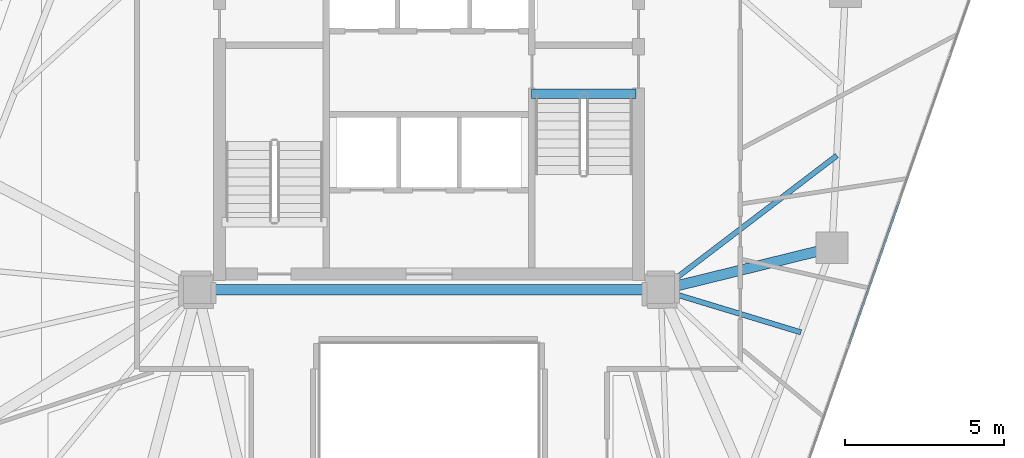
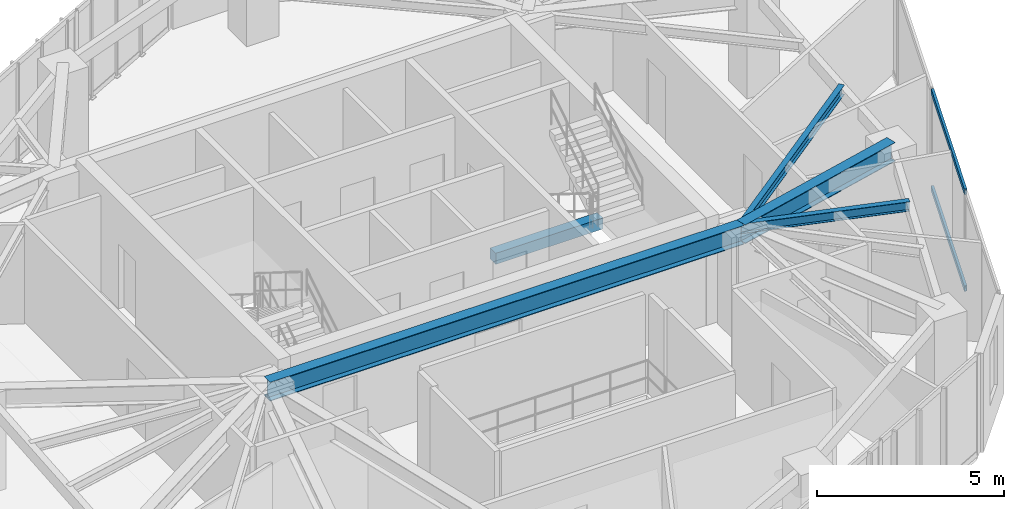
# One storey, part 9 of 20: 5 beams, 2 members, 1 element without a shape of its own.
"""IFC4 building model written with IfcOpenShell, lengths in metres."""

from ifc_helpers import new_model, si_unit, direction, frame, origin, origin_2d, place, context, subcontext, project, spatial, rectangle, hollow_rectangle, i_section, extrude, source, transform, mapped, material, layer, layer_set, material_profile, profile_set, type_object, type_shapes, element, aggregate, save


model = new_model("IFC4")

# Units and contexts
model_context = context("Model", 3, precision=1e-05, world=origin(), true_north=direction((0.0, 1.0)))
body_context = subcontext(model_context, "Body", "Model", "MODEL_VIEW")
ifc_project = project(units=[si_unit("LENGTHUNIT", "METRE"), si_unit("AREAUNIT", "SQUARE_METRE"), si_unit("VOLUMEUNIT", "CUBIC_METRE"), si_unit("PLANEANGLEUNIT", "RADIAN"), si_unit("MASSUNIT", "GRAM", prefix="KILO")], contexts=[model_context])

# Site, building, storey
site_placement = place(None, origin())
site = spatial("IfcSite", under=ifc_project, at=site_placement, CompositionType="ELEMENT")
building_placement = place(site_placement, origin())
building = spatial("IfcBuilding", under=site, at=building_placement, Name="Talar Marvaseh", CompositionType="ELEMENT")
storey_placement = place(building_placement, frame((0.0, 0.0, 170.5)))
storey = spatial("IfcBuildingStorey", under=building, at=storey_placement, Name="L44", CompositionType="ELEMENT", Elevation=170.5)

# Beams
ifc_material_1 = material(Name="Concrete C40/50", Category="concrete")
ifc_material_profile_1 = material_profile(ifc_material_1, rectangle(XDim=0.300048828125, YDim=0.360107421875, at=origin_2d()), Name="RC300x360")
ifc_profile_set_1 = profile_set([ifc_material_profile_1], Name="Concrete C40/50")
beam_type_1 = type_object("IfcBeamType", Name="Concrete Stair Landing Trimmer Beam RC300x360", PredefinedType="SPANDREL", material=ifc_profile_set_1)
beam_1_placement = place(storey_placement, frame((29.219970703125, 31.669921875, -0.179931640625), z_axis=(1.0, 0.0, 0.0), x_axis=(0.0, 1.0, 0.0)))
element("IfcBeam", 1, at=beam_1_placement, inside=storey, type_object=beam_type_1, Name="L44 ST-2 Stair Nosing Trimmer Beam", PredefinedType="SPANDREL", context=body_context, shape_type="SweptSolid", body=[
    extrude(rectangle(XDim=0.300048828125, YDim=0.360107421875, at=origin_2d()), origin(), (0.0, 0.0, 1.0), 3.300048828125),
])
ifc_material_2 = material(Name="Steel S355", Category="steel")
ifc_material_profile_2 = material_profile(ifc_material_2, i_section(OverallWidth=0.324951171875, OverallDepth=0.615966796875, WebThickness=0.013916015625, FlangeThickness=0.021484375, at=origin_2d()), Name="W610x174")
ifc_profile_set_2 = profile_set([ifc_material_profile_2], Name="Steel S355")
beam_type_2 = type_object("IfcBeamType", Name="Zone 3 Radial Floor Girder W610x174", PredefinedType="BEAM", material=ifc_profile_set_2)
beam_2_placement = place(storey_placement, frame((18.699951171875, 25.5, 2.922119140625), z_axis=(1.0, 0.0, 0.0), x_axis=(0.0, 1.0, 0.0)))
element("IfcBeam", 2, at=beam_2_placement, inside=storey, type_object=beam_type_2, Name="L44 Zone 3 Radial Floor Girder W610x174", PredefinedType="BEAM", context=body_context, shape_type="SweptSolid", body=[
    extrude(i_section(OverallWidth=0.324951171875, OverallDepth=0.615966796875, WebThickness=0.013916015625, FlangeThickness=0.021484375, at=origin_2d()), origin(), (0.0, 0.0, 1.0), 14.60009765625),
])
beam_3_placement = place(storey_placement, frame((38.68896484375, 26.823974609375, 2.922119140625), z_axis=(-0.971120507527, -0.238589521692, 0.0), x_axis=(0.238589521692, -0.971120507527, 0.0)))
element("IfcBeam", 3, at=beam_3_placement, inside=storey, type_object=beam_type_2, Name="L44 Zone 3 Radial Floor Girder W610x174", PredefinedType="BEAM", context=body_context, shape_type="SweptSolid", body=[
    extrude(i_section(OverallWidth=0.324951171875, OverallDepth=0.615966796875, WebThickness=0.013916015625, FlangeThickness=0.021484375, at=origin_2d()), origin(), (0.0, 0.0, 1.0), 5.549072265625),
])
ifc_material_profile_3 = material_profile(ifc_material_2, i_section(OverallWidth=0.166015625, OverallDepth=0.31298828125, WebThickness=0.006591796875, FlangeThickness=0.01123046875, at=origin_2d()), Name="W310x45")
ifc_profile_set_3 = profile_set([ifc_material_profile_3], Name="Steel S355")
beam_type_3 = type_object("IfcBeamType", Name="Zone 3 Secondary Floor Joist W310x45", PredefinedType="JOIST", material=ifc_profile_set_3)
beam_4_placement = place(storey_placement, frame((38.841552734375, 29.7255859375, 3.073486328125), z_axis=(-0.795190393297, -0.606359825852, 0.0), x_axis=(0.606359825852, -0.795190393297, 0.0)))
element("IfcBeam", 4, at=beam_4_placement, inside=storey, type_object=beam_type_3, Name="L44 Zone 3 Secondary Floor Joist W310x45", PredefinedType="JOIST", context=body_context, shape_type="SweptSolid", body=[
    extrude(i_section(OverallWidth=0.166015625, OverallDepth=0.31298828125, WebThickness=0.006591796875, FlangeThickness=0.01123046875, at=origin_2d()), origin(), (0.0, 0.0, 1.0), 6.96875),
])
beam_5_placement = place(storey_placement, frame((37.71044921875, 24.15966796875, 3.073486328125), z_axis=(-0.956792465721, 0.290771693153, 0.0), x_axis=(-0.290771693153, -0.956792465721, 0.0)))
element("IfcBeam", 5, at=beam_5_placement, inside=storey, type_object=beam_type_3, Name="L44 Zone 3 Secondary Floor Joist W310x45", PredefinedType="JOIST", context=body_context, shape_type="SweptSolid", body=[
    extrude(i_section(OverallWidth=0.166015625, OverallDepth=0.31298828125, WebThickness=0.006591796875, FlangeThickness=0.01123046875, at=origin_2d()), origin(), (0.0, 0.0, 1.0), 4.609619140625),
])

# Curtain wall, members
ifc_material_3 = material(Name="Architectural Aluminium", Category="aluminium")
ifc_layer = layer(ifc_material_3, 0.18994140625)
ifc_layer_set = layer_set([ifc_layer], Name="Architectural Aluminium")
curtain_wall_type = type_object("IfcCurtainWallType", Name="Unitised Solar Atelier Curtain Wall Z3", PredefinedType="NOTDEFINED", material=ifc_layer_set)
curtain_wall_placement = place(storey_placement, origin())
curtain_wall = element("IfcCurtainWall", 6, at=curtain_wall_placement, inside=storey, type_object=curtain_wall_type, Name="L44 Unitised Solar Atelier Curtain Wall Z3", PredefinedType="NOTDEFINED")
ifc_material_profile_4 = material_profile(ifc_material_3, hollow_rectangle(XDim=0.074951171875, YDim=0.179931640625, WallThickness=0.0048828125, at=origin_2d()), Name="RHS180x75x5")
ifc_profile_set_4 = profile_set([ifc_material_profile_4], Name="Architectural Aluminium")
member_type = type_object("IfcMemberType", Name="Unitised Curtain Wall Transom RHS180x75x5", PredefinedType="USERDEFINED", material=ifc_profile_set_4)
shared_shape = source(origin(), body_context, "Body", "SweptSolid", [
    extrude(hollow_rectangle(XDim=0.074951171875, YDim=0.179931640625, WallThickness=0.0048828125, at=origin_2d()), origin(), (0.0, 0.0, 1.0), 4.7470703125),
])
type_shapes(member_type, [shared_shape])
member_1_placement = place(storey_placement, frame((40.799560546875, 28.27099609375, 0.03759765625), z_axis=(-0.329818893575, -0.944044224304, 0.0), x_axis=(0.944044224304, -0.329818893575, 0.0)))
member_1 = element("IfcMember", 7, at=member_1_placement, type_object=member_type, Name="CW-Z3 transom 3.1", ObjectType="TRANSOM", PredefinedType="USERDEFINED", context=body_context, shape_type="MappedRepresentation", body=[
    mapped(shared_shape, transform((0.0, 0.0, 0.0), x_axis=(1.0, 0.0, 0.0), y_axis=(0.0, 1.0, 0.0), z_axis=(0.0, 0.0, 1.0), scale=1.0)),
])
member_2_placement = place(storey_placement, frame((40.799560546875, 28.27099609375, 3.1923828125), z_axis=(-0.329818893575, -0.944044224304, 0.0), x_axis=(0.944044224304, -0.329818893575, 0.0)))
member_2 = element("IfcMember", 8, at=member_2_placement, type_object=member_type, Name="CW-Z3 transom 3.2", ObjectType="TRANSOM", PredefinedType="USERDEFINED", context=body_context, shape_type="MappedRepresentation", body=[
    mapped(shared_shape, transform((0.0, 0.0, 0.0), x_axis=(1.0, 0.0, 0.0), y_axis=(0.0, 1.0, 0.0), z_axis=(0.0, 0.0, 1.0), scale=1.0)),
])
aggregate(curtain_wall, [member_1, member_2])

save(model, "model.ifc")
